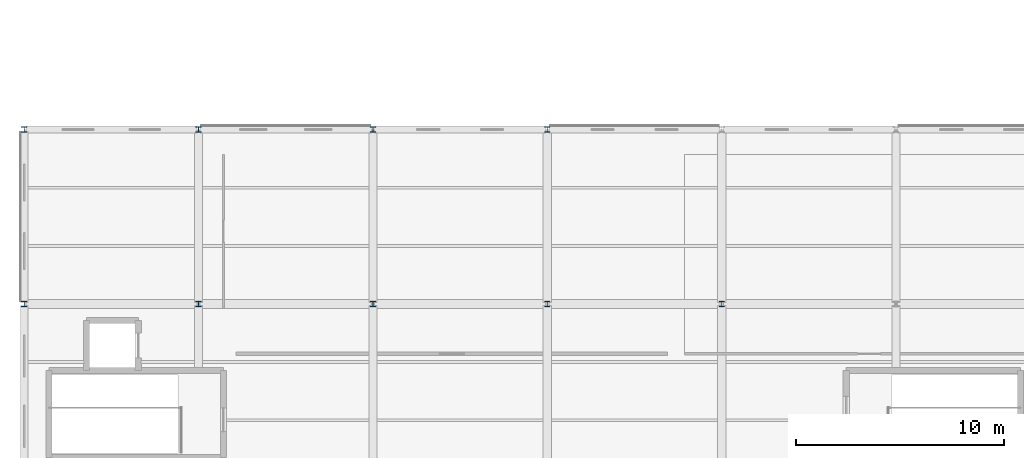
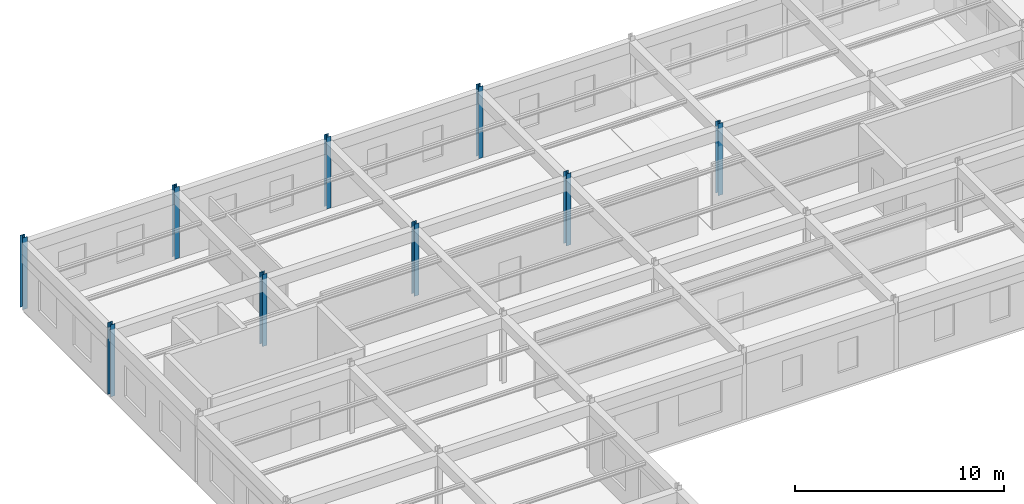
# One storey, part 3 of 83: 9 columns.
"""IFC4 building model written with IfcOpenShell, lengths in metres."""

from ifc_helpers import new_model, si_unit, direction, frame, origin, origin_2d, place, context, subcontext, project, spatial, i_section, extrude, material, material_profile, profile_set, type_object, element, save


model = new_model("IFC4")

# Units and contexts
model_context = context("Model", 3, precision=1e-05, world=origin(), true_north=direction((0.0, 1.0)))
body_context = subcontext(model_context, "Body", "Model", "MODEL_VIEW")
ifc_project = project(units=[si_unit("LENGTHUNIT", "METRE"), si_unit("AREAUNIT", "SQUARE_METRE"), si_unit("VOLUMEUNIT", "CUBIC_METRE"), si_unit("PLANEANGLEUNIT", "RADIAN"), si_unit("MASSUNIT", "GRAM", prefix="KILO"), si_unit("THERMODYNAMICTEMPERATUREUNIT", "KELVIN"), si_unit("POWERUNIT", "WATT")], contexts=[model_context])

# Site, building, storey
site_placement = place(None, origin())
site = spatial("IfcSite", under=ifc_project, at=site_placement, CompositionType="ELEMENT")
building_placement = place(site_placement, origin())
building = spatial("IfcBuilding", under=site, at=building_placement, Name="Darbajah Civic Hall", CompositionType="ELEMENT")
storey_placement = place(building_placement, frame((0.0, 0.0, 18.0)))
storey = spatial("IfcBuildingStorey", under=building, at=storey_placement, Name="L04", CompositionType="ELEMENT", Elevation=18.0)

# Columns
ifc_material = material(Name="Steel S355JR", Category="steel")
ifc_material_profile = material_profile(ifc_material, i_section(OverallWidth=0.25634765625, OverallDepth=0.26025390625, WebThickness=0.01025390625, FlangeThickness=0.017333984375, FilletRadius=0.0126953125, at=origin_2d()), Name="UC 254x254x89")
ifc_profile_set = profile_set([ifc_material_profile], Name="Steel S355JR")
column_type = type_object("IfcColumnType", Name="UC 254x254x89", PredefinedType="COLUMN", material=ifc_profile_set)
for number, where, z_axis, x_axis, name in (
    (1, (0.0, 33.60009765625, 0.0), (0.0, 0.0, 1.0), (1.0, 0.0, 0.0), "L04 column C-UC254"),
    (2, (0.0, 42.0, 0.0), (0.0, 0.0, 1.0), (1.0, 0.0, 0.0), "L04 column C-UC254"),
    (3, (8.39990234375, 33.60009765625, 0.0), (0.0, 0.0, 1.0), (1.0, 0.0, 0.0), "L04 column C-UC254"),
    (4, (8.39990234375, 42.0, 0.0), (0.0, 0.0, 1.0), (1.0, 0.0, 0.0), "L04 column C-UC254"),
    (5, (16.800048828125, 33.60009765625, 0.0), (0.0, 0.0, 1.0), (1.0, 0.0, 0.0), "L04 column C-UC254"),
    (6, (16.800048828125, 42.0, 0.0), (0.0, 0.0, 1.0), (1.0, 0.0, 0.0), "L04 column C-UC254"),
    (7, (25.199951171875, 33.60009765625, 0.0), (0.0, 0.0, 1.0), (1.0, 0.0, 0.0), "L04 column C-UC254"),
    (8, (25.199951171875, 42.0, 0.0), (0.0, 0.0, 1.0), (1.0, 0.0, 0.0), "L04 column C-UC254"),
    (9, (33.60009765625, 33.60009765625, 0.0), (0.0, 0.0, 1.0), (1.0, 0.0, 0.0), "L04 column C-UC254"),
):
    element("IfcColumn", number, at=place(storey_placement, frame(where, z_axis=z_axis, x_axis=x_axis)), inside=storey, type_object=column_type, Name=name, PredefinedType="COLUMN", context=body_context, shape_type="SweptSolid", body=[
        extrude(i_section(OverallWidth=0.25634765625, OverallDepth=0.26025390625, WebThickness=0.01025390625, FlangeThickness=0.017333984375, FilletRadius=0.0126953125, at=origin_2d()), origin(), (0.0, 0.0, 1.0), 4.199951171875),
    ])

save(model, "model.ifc")
